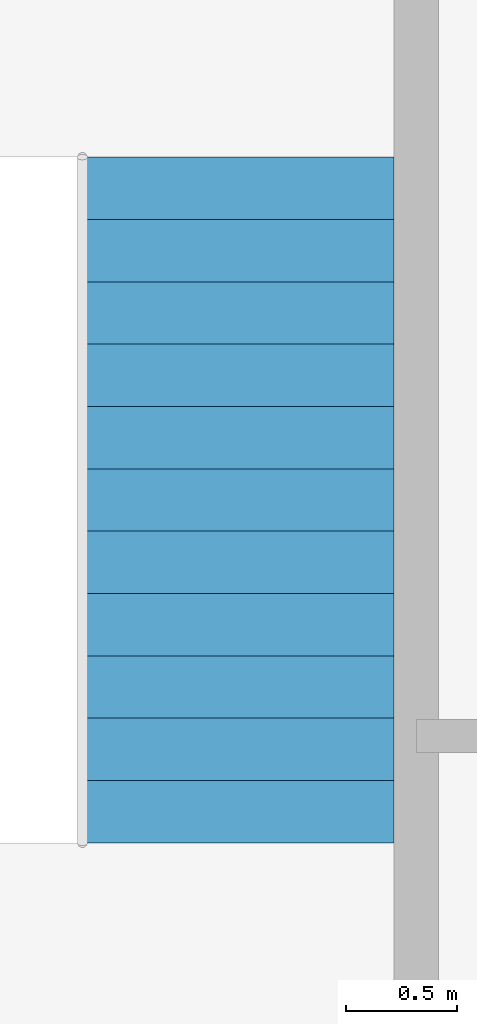
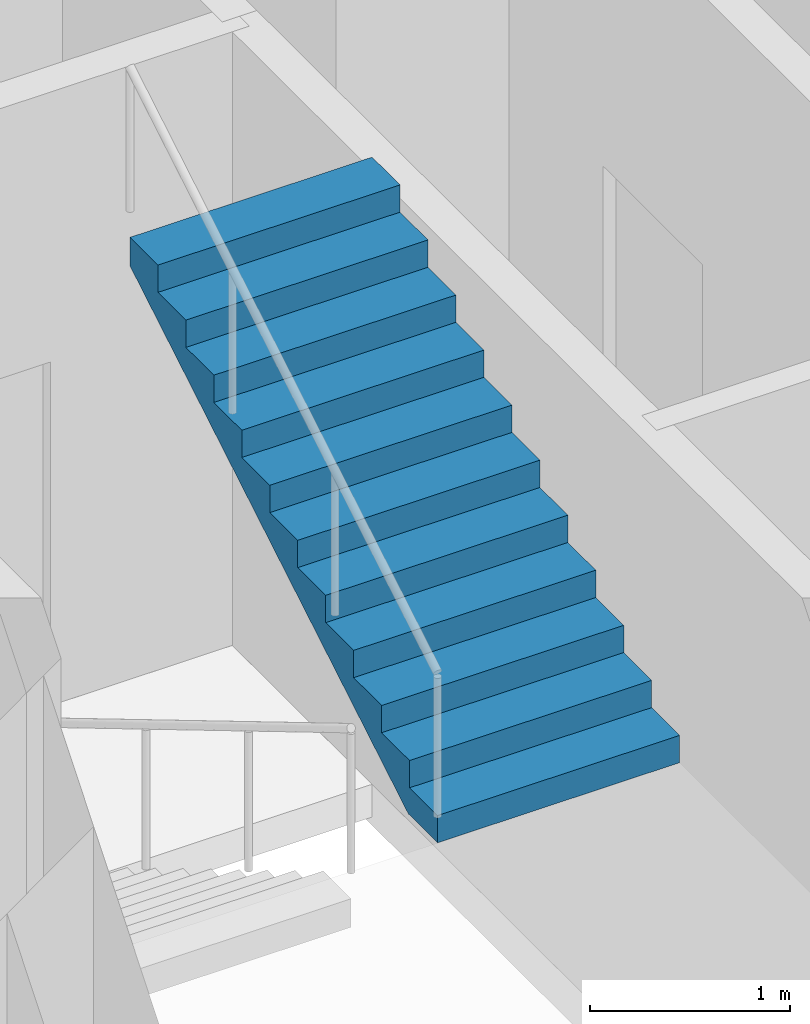
# One storey, part 13 of 14: 1 stair flight, 1 element without a shape of its own.
"""IFC4 building model written with IfcOpenShell, lengths in metres."""

from ifc_helpers import new_model, si_unit, direction, frame, origin, place, context, subcontext, project, spatial, polyline, outline, extrude, material, type_object, element, aggregate, save


model = new_model("IFC4")

# Units and contexts
model_context = context("Model", 3, precision=1e-05, world=origin(), true_north=direction((0.0, 1.0)))
body_context = subcontext(model_context, "Body", "Model", "MODEL_VIEW")
ifc_project = project(units=[si_unit("LENGTHUNIT", "METRE"), si_unit("AREAUNIT", "SQUARE_METRE"), si_unit("VOLUMEUNIT", "CUBIC_METRE"), si_unit("PLANEANGLEUNIT", "RADIAN"), si_unit("MASSUNIT", "GRAM", prefix="KILO")], contexts=[model_context])

# Site, building, storey
site_placement = place(None, origin())
site = spatial("IfcSite", under=ifc_project, at=site_placement, CompositionType="ELEMENT")
building_placement = place(site_placement, origin())
building = spatial("IfcBuilding", under=site, at=building_placement, Name="Malebo Sky Hospital", CompositionType="ELEMENT")
storey_placement = place(building_placement, frame((0.0, 0.0, 128.0)))
storey = spatial("IfcBuildingStorey", under=building, at=storey_placement, Name="L30", CompositionType="ELEMENT", Elevation=128.0)

# Stair, stair flight
ifc_material = material(Name="Concrete C40/50", Category="concrete")
stair_type = type_object("IfcStairType", Name="HALF-TURN STAIR 1400 R167", PredefinedType="HALF_TURN_STAIR", material=ifc_material)
stair_placement = place(storey_placement, origin())
stair = element("IfcStair", 1, at=stair_placement, inside=storey, type_object=stair_type, Name="Stair S3 L30 type ST1B", PredefinedType="HALF_TURN_STAIR")
stair_flight_type = type_object("IfcStairFlightType", Name="STAIR FLIGHT 1400 R167", PredefinedType="STRAIGHT", material=ifc_material)
stair_flight_placement = place(storey_placement, frame((71.699951171875, 70.52001953125, 2.0), z_axis=(0.0, 0.0, 1.0), x_axis=(0.0, 1.0, 0.0)))
stair_flight = element("IfcStairFlight", 2, at=stair_flight_placement, type_object=stair_flight_type, Name="S3 flight 2 type SF1B", NumberOfRisers=12, NumberOfTreads=11, PredefinedType="STRAIGHT", RiserHeight=0.166666667, TreadLength=0.28, context=body_context, shape_type="SweptSolid", body=[
    extrude(outline(polyline([(0.0, 0.0), (0.0, 0.166748046875), (0.280029296875, 0.166748046875), (0.280029296875, 0.333251953125), (0.56005859375, 0.333251953125), (0.56005859375, 0.5), (0.840087890625, 0.5), (0.840087890625, 0.666748046875), (1.1201171875, 0.666748046875), (1.1201171875, 0.833251953125), (1.39990234375, 0.833251953125), (1.39990234375, 1.0), (1.679931640625, 1.0), (1.679931640625, 1.166748046875), (1.9599609375, 1.166748046875), (1.9599609375, 1.333251953125), (2.239990234375, 1.333251953125), (2.239990234375, 1.5), (2.52001953125, 1.5), (2.52001953125, 1.666748046875), (2.800048828125, 1.666748046875), (2.800048828125, 1.833251953125), (3.080078125, 1.833251953125), (3.080078125, 2.0), (3.080078125, 1.658935546875), (0.29296875, 0.0), (0.0, 0.0)])), frame((0.0, 0.699951171875, 0.0), z_axis=(0.0, -1.0, 0.0), x_axis=(1.0, 0.0, 0.0)), (0.0, 0.0, 1.0), 1.39990234375),
])
aggregate(stair, [stair_flight])

save(model, "model.ifc")
